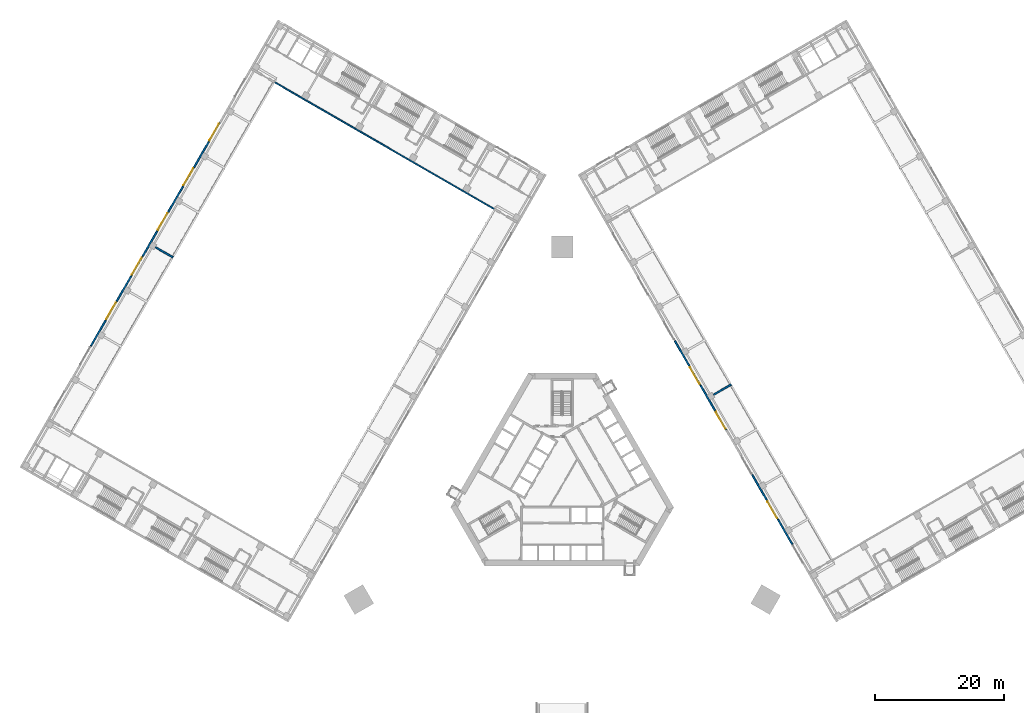
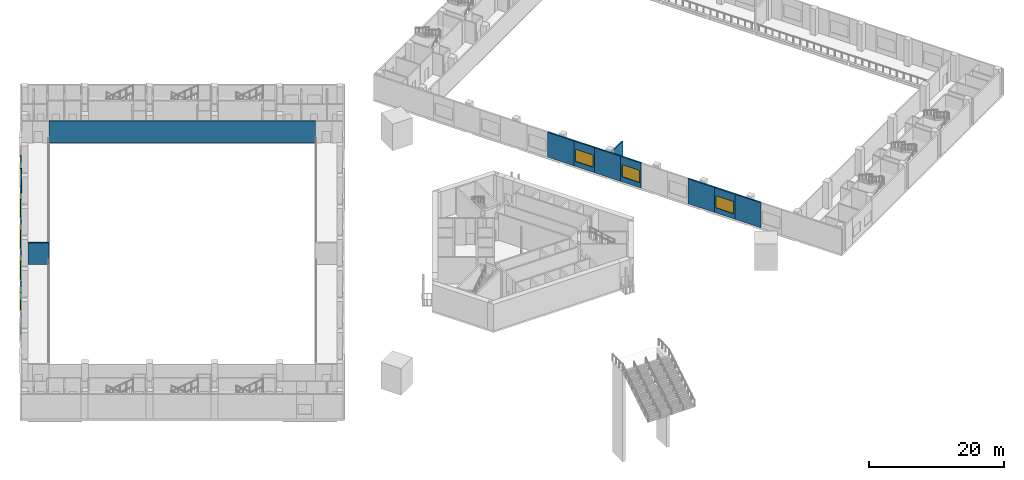
# One storey, part 12 of 28: 20 walls, 8 windows, 8 openings.
"""IFC4 building model written with IfcOpenShell, lengths in metres."""

from ifc_helpers import new_model, si_unit, direction, frame, frame_2d, origin, place, context, subcontext, project, spatial, rectangle, extrude, material, layer, layer_set, type_object, element, fill, save


model = new_model("IFC4")

# Units and contexts
model_context = context("Model", 3, precision=1e-05, world=origin(), true_north=direction((0.0, 1.0)))
body_context = subcontext(model_context, "Body", "Model", "MODEL_VIEW")
ifc_project = project(units=[si_unit("LENGTHUNIT", "METRE"), si_unit("AREAUNIT", "SQUARE_METRE"), si_unit("VOLUMEUNIT", "CUBIC_METRE"), si_unit("PLANEANGLEUNIT", "RADIAN"), si_unit("MASSUNIT", "GRAM", prefix="KILO")], contexts=[model_context])

# Site, building, storey
site_placement = place(None, origin())
site = spatial("IfcSite", under=ifc_project, at=site_placement, CompositionType="ELEMENT")
building_placement = place(site_placement, origin())
building = spatial("IfcBuilding", under=site, at=building_placement, Name="Mestral Congress Tower", CompositionType="ELEMENT")
storey_placement = place(building_placement, frame((0.0, 0.0, 11.39990234375)))
storey = spatial("IfcBuildingStorey", under=building, at=storey_placement, Name="L02", CompositionType="ELEMENT", Elevation=11.39990234375)

# Wall
ifc_material_1 = material(Name="Precast concrete C40/50 with limestone facing", Category="masonry")
ifc_layer_1 = layer(ifc_material_1, 0.25)
ifc_layer_set_1 = layer_set([ifc_layer_1], Name="Precast concrete C40/50 with limestone facing")
wall_type_1 = type_object("IfcWallType", Name="Podium external wall 250", PredefinedType="SOLIDWALL", material=ifc_layer_set_1)
wall_1_placement = place(storey_placement, frame((35.656494140625, -9.653076171875, 0.0), z_axis=(0.0, 0.0, 1.0), x_axis=(-0.499990705068, 0.866030770149, 0.0)))
element("IfcWall", 1, at=wall_1_placement, inside=storey, type_object=wall_type_1, Name="L02 external wall", PredefinedType="SOLIDWALL", context=body_context, shape_type="SweptSolid", body=[
    extrude(rectangle(XDim=4.43798828125, YDim=0.25, at=frame_2d((2.218994140625, 0.0))), origin(), (0.0, 0.0, 1.0), 4.5),
])

# Wall, opening, window
wall_2_placement = place(storey_placement, frame((33.4375, -5.8095703125, 0.0), z_axis=(0.0, 0.0, 1.0), x_axis=(-0.499980071345, 0.866036909293, 0.0)))
wall_2 = element("IfcWall", 2, at=wall_2_placement, inside=storey, type_object=wall_type_1, Name="L02 external wall", PredefinedType="SOLIDWALL", context=body_context, shape_type="SweptSolid", body=[
    extrude(rectangle(XDim=3.500244140625, YDim=0.25, at=frame_2d((1.75, 0.0))), origin(), (0.0, 0.0, 1.0), 4.5),
])
opening_1_placement = place(wall_2_placement, frame((0.25, 0.0, 0.89990234375)))
opening_1 = element("IfcOpeningElement", 3, at=opening_1_placement, cuts=wall_2, Name="Opening PW-3000x2200", PredefinedType="OPENING", context=body_context, shape_type="SweptSolid", body=[
    extrude(rectangle(XDim=3.0, YDim=2.199951171875, at=frame_2d((1.5, 1.10009765625))), frame((0.0, 0.135009765625, 0.0), z_axis=(0.0, -1.0, 0.0), x_axis=(1.0, 0.0, 0.0)), (0.0, 0.0, 1.0), 0.27001953125),
])
ifc_material_2 = material(Name="Aluminium frame, clear double glazing", Category="aluminium")
window_type = type_object("IfcWindowType", Name="Podium window 3000x2200 sill 900", PartitioningType="SINGLE_PANEL", PredefinedType="WINDOW", material=ifc_material_2)
window_1_placement = place(opening_1_placement, origin())
window_1 = element("IfcWindow", 4, at=window_1_placement, inside=storey, type_object=window_type, Name="Window", OverallHeight=2.199951171875, OverallWidth=3.0, PartitioningType="SINGLE_PANEL", PredefinedType="WINDOW", context=body_context, shape_type="SweptSolid", body=[
    extrude(rectangle(XDim=3.0, YDim=2.199951171875, at=frame_2d((1.5, 1.10009765625))), frame((0.0, 0.030029296875, 0.0), z_axis=(0.0, -1.0, 0.0), x_axis=(1.0, 0.0, 0.0)), (0.0, 0.0, 1.0), 0.06005859375),
])
fill(opening_1, window_1)

# Wall
wall_3_placement = place(storey_placement, frame((31.6875, -2.7783203125, 0.0), z_axis=(0.0, 0.0, 1.0), x_axis=(-0.500013631625, 0.866017533419, 0.0)))
element("IfcWall", 5, at=wall_3_placement, inside=storey, type_object=wall_type_1, Name="L02 external wall", PredefinedType="SOLIDWALL", context=body_context, shape_type="SweptSolid", body=[
    extrude(rectangle(XDim=4.499755859375, YDim=0.25, at=frame_2d((2.25, 0.0))), origin(), (0.0, 0.0, 1.0), 4.5),
])

# Wall, opening, window
wall_4_placement = place(storey_placement, frame((25.4375, 8.046875, 0.0), z_axis=(0.0, 0.0, 1.0), x_axis=(-0.500010275428, 0.866019471182, 0.0)))
wall_4 = element("IfcWall", 6, at=wall_4_placement, inside=storey, type_object=wall_type_1, Name="L02 external wall", PredefinedType="SOLIDWALL", context=body_context, shape_type="SweptSolid", body=[
    extrude(rectangle(XDim=3.5, YDim=0.25, at=frame_2d((1.75, 0.0))), origin(), (0.0, 0.0, 1.0), 4.5),
])
opening_2_placement = place(wall_4_placement, frame((0.25, 0.0, 0.89990234375)))
opening_2 = element("IfcOpeningElement", 7, at=opening_2_placement, cuts=wall_4, Name="Opening PW-3000x2200", PredefinedType="OPENING", context=body_context, shape_type="SweptSolid", body=[
    extrude(rectangle(XDim=3.0, YDim=2.199951171875, at=frame_2d((1.5, 1.10009765625))), frame((0.0, 0.135009765625, 0.0), z_axis=(0.0, -1.0, 0.0), x_axis=(1.0, 0.0, 0.0)), (0.0, 0.0, 1.0), 0.27001953125),
])
window_2_placement = place(opening_2_placement, origin())
window_2 = element("IfcWindow", 8, at=window_2_placement, inside=storey, type_object=window_type, Name="Window", OverallHeight=2.199951171875, OverallWidth=3.0, PartitioningType="SINGLE_PANEL", PredefinedType="WINDOW", context=body_context, shape_type="SweptSolid", body=[
    extrude(rectangle(XDim=3.0, YDim=2.199951171875, at=frame_2d((1.5, 1.10009765625))), frame((0.0, 0.030029296875, 0.0), z_axis=(0.0, -1.0, 0.0), x_axis=(1.0, 0.0, 0.0)), (0.0, 0.0, 1.0), 0.06005859375),
])
fill(opening_2, window_2)

# Wall
wall_5_placement = place(storey_placement, frame((23.6875, 11.077880859375, 0.0), z_axis=(0.0, 0.0, 1.0), x_axis=(-0.499990139034, 0.866031096941, 0.0)))
element("IfcWall", 9, at=wall_5_placement, inside=storey, type_object=wall_type_1, Name="L02 external wall", PredefinedType="SOLIDWALL", context=body_context, shape_type="SweptSolid", body=[
    extrude(rectangle(XDim=4.5, YDim=0.25, at=frame_2d((2.25, 0.0))), origin(), (0.0, 0.0, 1.0), 4.5),
])

# Wall, opening, window
wall_6_placement = place(storey_placement, frame((21.4375, 14.97509765625, 0.0), z_axis=(0.0, 0.0, 1.0), x_axis=(-0.500010275428, 0.866019471182, 0.0)))
wall_6 = element("IfcWall", 10, at=wall_6_placement, inside=storey, type_object=wall_type_1, Name="L02 external wall", PredefinedType="SOLIDWALL", context=body_context, shape_type="SweptSolid", body=[
    extrude(rectangle(XDim=3.5, YDim=0.25, at=frame_2d((1.75, 0.0))), origin(), (0.0, 0.0, 1.0), 4.5),
])
opening_3_placement = place(wall_6_placement, frame((0.25, 0.0, 0.89990234375)))
opening_3 = element("IfcOpeningElement", 11, at=opening_3_placement, cuts=wall_6, Name="Opening PW-3000x2200", PredefinedType="OPENING", context=body_context, shape_type="SweptSolid", body=[
    extrude(rectangle(XDim=3.0, YDim=2.199951171875, at=frame_2d((1.5, 1.10009765625))), frame((0.0, 0.135009765625, 0.0), z_axis=(0.0, -1.0, 0.0), x_axis=(1.0, 0.0, 0.0)), (0.0, 0.0, 1.0), 0.27001953125),
])
window_3_placement = place(opening_3_placement, origin())
window_3 = element("IfcWindow", 12, at=window_3_placement, inside=storey, type_object=window_type, Name="Window", OverallHeight=2.199951171875, OverallWidth=3.0, PartitioningType="SINGLE_PANEL", PredefinedType="WINDOW", context=body_context, shape_type="SweptSolid", body=[
    extrude(rectangle(XDim=3.0, YDim=2.199951171875, at=frame_2d((1.5, 1.10009765625))), frame((0.0, 0.030029296875, 0.0), z_axis=(0.0, -1.0, 0.0), x_axis=(1.0, 0.0, 0.0)), (0.0, 0.0, 1.0), 0.06005859375),
])
fill(opening_3, window_3)

# Wall
wall_7_placement = place(storey_placement, frame((19.6875, 18.006103515625, 0.0), z_axis=(0.0, 0.0, 1.0), x_axis=(-0.499990139034, 0.866031096941, 0.0)))
element("IfcWall", 13, at=wall_7_placement, inside=storey, type_object=wall_type_1, Name="L02 external wall", PredefinedType="SOLIDWALL", context=body_context, shape_type="SweptSolid", body=[
    extrude(rectangle(XDim=4.5, YDim=0.25, at=frame_2d((2.25, 0.0))), origin(), (0.0, 0.0, 1.0), 4.5),
])

# Wall, opening, window
wall_8_placement = place(storey_placement, frame((-54.790283203125, 52.706298828125, 0.0), z_axis=(0.0, 0.0, 1.0), x_axis=(0.499980071345, 0.866036909293, 0.0)))
wall_8 = element("IfcWall", 14, at=wall_8_placement, inside=storey, type_object=wall_type_1, Name="L02 external wall", PredefinedType="SOLIDWALL", context=body_context, shape_type="SweptSolid", body=[
    extrude(rectangle(XDim=3.500244140625, YDim=0.25, at=frame_2d((1.75, 0.0))), origin(), (0.0, 0.0, 1.0), 4.5),
])
opening_4_placement = place(wall_8_placement, frame((0.25, 0.0, 0.89990234375)))
opening_4 = element("IfcOpeningElement", 15, at=opening_4_placement, cuts=wall_8, Name="Opening PW-3000x2200", PredefinedType="OPENING", context=body_context, shape_type="SweptSolid", body=[
    extrude(rectangle(XDim=3.0, YDim=2.199951171875, at=frame_2d((1.5, 1.10009765625))), frame((0.0, 0.135009765625, 0.0), z_axis=(0.0, -1.0, 0.0), x_axis=(1.0, 0.0, 0.0)), (0.0, 0.0, 1.0), 0.27001953125),
])
window_4_placement = place(opening_4_placement, origin())
window_4 = element("IfcWindow", 16, at=window_4_placement, inside=storey, type_object=window_type, Name="Window", OverallHeight=2.199951171875, OverallWidth=3.0, PartitioningType="SINGLE_PANEL", PredefinedType="WINDOW", context=body_context, shape_type="SweptSolid", body=[
    extrude(rectangle(XDim=3.0, YDim=2.199951171875, at=frame_2d((1.5, 1.10009765625))), frame((0.0, 0.030029296875, 0.0), z_axis=(0.0, -1.0, 0.0), x_axis=(1.0, 0.0, 0.0)), (0.0, 0.0, 1.0), 0.06005859375),
])
fill(opening_4, window_4)

# Wall
wall_9_placement = place(storey_placement, frame((-57.040283203125, 48.809326171875, 0.0), z_axis=(0.0, 0.0, 1.0), x_axis=(0.500013631625, 0.866017533419, 0.0)))
element("IfcWall", 17, at=wall_9_placement, inside=storey, type_object=wall_type_1, Name="L02 external wall", PredefinedType="SOLIDWALL", context=body_context, shape_type="SweptSolid", body=[
    extrude(rectangle(XDim=4.499755859375, YDim=0.25, at=frame_2d((2.25, 0.0))), origin(), (0.0, 0.0, 1.0), 4.5),
])

# Wall, opening, window
wall_10_placement = place(storey_placement, frame((-58.790283203125, 45.7783203125, 0.0), z_axis=(0.0, 0.0, 1.0), x_axis=(0.500010275428, 0.866019471182, 0.0)))
wall_10 = element("IfcWall", 18, at=wall_10_placement, inside=storey, type_object=wall_type_1, Name="L02 external wall", PredefinedType="SOLIDWALL", context=body_context, shape_type="SweptSolid", body=[
    extrude(rectangle(XDim=3.5, YDim=0.25, at=frame_2d((1.75, 0.0))), origin(), (0.0, 0.0, 1.0), 4.5),
])
opening_5_placement = place(wall_10_placement, frame((0.25, 0.0, 0.89990234375)))
opening_5 = element("IfcOpeningElement", 19, at=opening_5_placement, cuts=wall_10, Name="Opening PW-3000x2200", PredefinedType="OPENING", context=body_context, shape_type="SweptSolid", body=[
    extrude(rectangle(XDim=3.0, YDim=2.199951171875, at=frame_2d((1.5, 1.10009765625))), frame((0.0, 0.135009765625, 0.0), z_axis=(0.0, -1.0, 0.0), x_axis=(1.0, 0.0, 0.0)), (0.0, 0.0, 1.0), 0.27001953125),
])
window_5_placement = place(opening_5_placement, origin())
window_5 = element("IfcWindow", 20, at=window_5_placement, inside=storey, type_object=window_type, Name="Window", OverallHeight=2.199951171875, OverallWidth=3.0, PartitioningType="SINGLE_PANEL", PredefinedType="WINDOW", context=body_context, shape_type="SweptSolid", body=[
    extrude(rectangle(XDim=3.0, YDim=2.199951171875, at=frame_2d((1.5, 1.10009765625))), frame((0.0, 0.030029296875, 0.0), z_axis=(0.0, -1.0, 0.0), x_axis=(1.0, 0.0, 0.0)), (0.0, 0.0, 1.0), 0.06005859375),
])
fill(opening_5, window_5)

# Wall
wall_11_placement = place(storey_placement, frame((-61.040283203125, 41.881103515625, 0.0), z_axis=(0.0, 0.0, 1.0), x_axis=(0.499990139034, 0.866031096941, 0.0)))
element("IfcWall", 21, at=wall_11_placement, inside=storey, type_object=wall_type_1, Name="L02 external wall", PredefinedType="SOLIDWALL", context=body_context, shape_type="SweptSolid", body=[
    extrude(rectangle(XDim=4.5, YDim=0.25, at=frame_2d((2.25, 0.0))), origin(), (0.0, 0.0, 1.0), 4.5),
])

# Wall, opening, window
wall_12_placement = place(storey_placement, frame((-62.790283203125, 38.85009765625, 0.0), z_axis=(0.0, 0.0, 1.0), x_axis=(0.500010275428, 0.866019471182, 0.0)))
wall_12 = element("IfcWall", 22, at=wall_12_placement, inside=storey, type_object=wall_type_1, Name="L02 external wall", PredefinedType="SOLIDWALL", context=body_context, shape_type="SweptSolid", body=[
    extrude(rectangle(XDim=3.5, YDim=0.25, at=frame_2d((1.75, 0.0))), origin(), (0.0, 0.0, 1.0), 4.5),
])
opening_6_placement = place(wall_12_placement, frame((0.25, 0.0, 0.89990234375)))
opening_6 = element("IfcOpeningElement", 23, at=opening_6_placement, cuts=wall_12, Name="Opening PW-3000x2200", PredefinedType="OPENING", context=body_context, shape_type="SweptSolid", body=[
    extrude(rectangle(XDim=3.0, YDim=2.199951171875, at=frame_2d((1.5, 1.10009765625))), frame((0.0, 0.135009765625, 0.0), z_axis=(0.0, -1.0, 0.0), x_axis=(1.0, 0.0, 0.0)), (0.0, 0.0, 1.0), 0.27001953125),
])
window_6_placement = place(opening_6_placement, origin())
window_6 = element("IfcWindow", 24, at=window_6_placement, inside=storey, type_object=window_type, Name="Window", OverallHeight=2.199951171875, OverallWidth=3.0, PartitioningType="SINGLE_PANEL", PredefinedType="WINDOW", context=body_context, shape_type="SweptSolid", body=[
    extrude(rectangle(XDim=3.0, YDim=2.199951171875, at=frame_2d((1.5, 1.10009765625))), frame((0.0, 0.030029296875, 0.0), z_axis=(0.0, -1.0, 0.0), x_axis=(1.0, 0.0, 0.0)), (0.0, 0.0, 1.0), 0.06005859375),
])
fill(opening_6, window_6)

# Wall
wall_13_placement = place(storey_placement, frame((-65.040283203125, 34.952880859375, 0.0), z_axis=(0.0, 0.0, 1.0), x_axis=(0.499990139034, 0.866031096941, 0.0)))
element("IfcWall", 25, at=wall_13_placement, inside=storey, type_object=wall_type_1, Name="L02 external wall", PredefinedType="SOLIDWALL", context=body_context, shape_type="SweptSolid", body=[
    extrude(rectangle(XDim=4.5, YDim=0.25, at=frame_2d((2.25, 0.0))), origin(), (0.0, 0.0, 1.0), 4.5),
])

# Wall, opening, window
wall_14_placement = place(storey_placement, frame((-66.790283203125, 31.921875, 0.0), z_axis=(0.0, 0.0, 1.0), x_axis=(0.500010275428, 0.866019471182, 0.0)))
wall_14 = element("IfcWall", 26, at=wall_14_placement, inside=storey, type_object=wall_type_1, Name="L02 external wall", PredefinedType="SOLIDWALL", context=body_context, shape_type="SweptSolid", body=[
    extrude(rectangle(XDim=3.5, YDim=0.25, at=frame_2d((1.75, 0.0))), origin(), (0.0, 0.0, 1.0), 4.5),
])
opening_7_placement = place(wall_14_placement, frame((0.25, 0.0, 0.89990234375)))
opening_7 = element("IfcOpeningElement", 27, at=opening_7_placement, cuts=wall_14, Name="Opening PW-3000x2200", PredefinedType="OPENING", context=body_context, shape_type="SweptSolid", body=[
    extrude(rectangle(XDim=3.0, YDim=2.199951171875, at=frame_2d((1.5, 1.10009765625))), frame((0.0, 0.135009765625, 0.0), z_axis=(0.0, -1.0, 0.0), x_axis=(1.0, 0.0, 0.0)), (0.0, 0.0, 1.0), 0.27001953125),
])
window_7_placement = place(opening_7_placement, origin())
window_7 = element("IfcWindow", 28, at=window_7_placement, inside=storey, type_object=window_type, Name="Window", OverallHeight=2.199951171875, OverallWidth=3.0, PartitioningType="SINGLE_PANEL", PredefinedType="WINDOW", context=body_context, shape_type="SweptSolid", body=[
    extrude(rectangle(XDim=3.0, YDim=2.199951171875, at=frame_2d((1.5, 1.10009765625))), frame((0.0, 0.030029296875, 0.0), z_axis=(0.0, -1.0, 0.0), x_axis=(1.0, 0.0, 0.0)), (0.0, 0.0, 1.0), 0.06005859375),
])
fill(opening_7, window_7)

# Wall
wall_15_placement = place(storey_placement, frame((-69.040283203125, 28.024658203125, 0.0), z_axis=(0.0, 0.0, 1.0), x_axis=(0.499990139034, 0.866031096941, 0.0)))
element("IfcWall", 29, at=wall_15_placement, inside=storey, type_object=wall_type_1, Name="L02 external wall", PredefinedType="SOLIDWALL", context=body_context, shape_type="SweptSolid", body=[
    extrude(rectangle(XDim=4.5, YDim=0.25, at=frame_2d((2.25, 0.0))), origin(), (0.0, 0.0, 1.0), 4.5),
])

# Wall, opening, window
wall_16_placement = place(storey_placement, frame((-70.790283203125, 24.99365234375, 0.0), z_axis=(0.0, 0.0, 1.0), x_axis=(0.500010275428, 0.866019471182, 0.0)))
wall_16 = element("IfcWall", 30, at=wall_16_placement, inside=storey, type_object=wall_type_1, Name="L02 external wall", PredefinedType="SOLIDWALL", context=body_context, shape_type="SweptSolid", body=[
    extrude(rectangle(XDim=3.5, YDim=0.25, at=frame_2d((1.75, 0.0))), origin(), (0.0, 0.0, 1.0), 4.5),
])
opening_8_placement = place(wall_16_placement, frame((0.25, 0.0, 0.89990234375)))
opening_8 = element("IfcOpeningElement", 31, at=opening_8_placement, cuts=wall_16, Name="Opening PW-3000x2200", PredefinedType="OPENING", context=body_context, shape_type="SweptSolid", body=[
    extrude(rectangle(XDim=3.0, YDim=2.199951171875, at=frame_2d((1.5, 1.10009765625))), frame((0.0, 0.135009765625, 0.0), z_axis=(0.0, -1.0, 0.0), x_axis=(1.0, 0.0, 0.0)), (0.0, 0.0, 1.0), 0.27001953125),
])
window_8_placement = place(opening_8_placement, origin())
window_8 = element("IfcWindow", 32, at=window_8_placement, inside=storey, type_object=window_type, Name="Window", OverallHeight=2.199951171875, OverallWidth=3.0, PartitioningType="SINGLE_PANEL", PredefinedType="WINDOW", context=body_context, shape_type="SweptSolid", body=[
    extrude(rectangle(XDim=3.0, YDim=2.199951171875, at=frame_2d((1.5, 1.10009765625))), frame((0.0, 0.030029296875, 0.0), z_axis=(0.0, -1.0, 0.0), x_axis=(1.0, 0.0, 0.0)), (0.0, 0.0, 1.0), 0.06005859375),
])
fill(opening_8, window_8)

# Walls
wall_17_placement = place(storey_placement, frame((-73.040283203125, 21.096435546875, 0.0), z_axis=(0.0, 0.0, 1.0), x_axis=(0.499990139034, 0.866031096941, 0.0)))
element("IfcWall", 33, at=wall_17_placement, inside=storey, type_object=wall_type_1, Name="L02 external wall", PredefinedType="SOLIDWALL", context=body_context, shape_type="SweptSolid", body=[
    extrude(rectangle(XDim=4.5, YDim=0.25, at=frame_2d((2.25, 0.0))), origin(), (0.0, 0.0, 1.0), 4.5),
])
ifc_material_3 = material(Name="Masonry block wall", Category="masonry")
ifc_layer_2 = layer(ifc_material_3, 0.25)
ifc_layer_set_2 = layer_set([ifc_layer_2], Name="Masonry block wall")
wall_type_2 = type_object("IfcWallType", Name="Podium hall wall 250 EI 180", PredefinedType="SOLIDWALL", material=ifc_layer_set_2)
for number, where, z_axis, x_axis, name in (
    (34, (23.4501953125, 13.5390625, 0.0), (0.0, 0.0, 1.0), (0.866035871367, 0.499981869177, 0.0), "L02 partition"),
    (35, (-60.299560546875, 34.81396484375, 0.0), (0.0, 0.0, 1.0), (-0.866035871367, 0.499981869177, 0.0), "L02 partition"),
):
    element("IfcWall", number, at=place(storey_placement, frame(where, z_axis=z_axis, x_axis=x_axis)), inside=storey, type_object=wall_type_2, Name=name, PredefinedType="SOLIDWALL", context=body_context, shape_type="SweptSolid", body=[
        extrude(rectangle(XDim=3.14990234375, YDim=0.25, at=frame_2d((1.574951171875, 0.0))), origin(), (0.0, 0.0, 1.0), 3.900146484375),
    ])
ifc_material_4 = material(Name="Fire-rated board partition")
ifc_layer_3 = layer(ifc_material_4, 0.199951171875)
ifc_layer_set_3 = layer_set([ifc_layer_3], Name="Fire-rated board partition")
wall_type_3 = type_object("IfcWallType", Name="Podium vestibule wall 200 EI 120", PredefinedType="PARTITIONING", material=ifc_layer_set_3)
wall_18_placement = place(storey_placement, frame((-10.49072265625, 42.285400390625, 0.0), z_axis=(0.0, 0.0, 1.0), x_axis=(-0.866022857395, 0.50000441045, 0.0)))
element("IfcWall", 36, at=wall_18_placement, inside=storey, type_object=wall_type_3, Name="L02 partition", PredefinedType="PARTITIONING", context=body_context, shape_type="SweptSolid", body=[
    extrude(rectangle(XDim=39.400146484375, YDim=0.199951171875, at=frame_2d((19.7001953125, 0.0))), origin(), (0.0, 0.0, 1.0), 3.900146484375),
])

save(model, "model.ifc")
